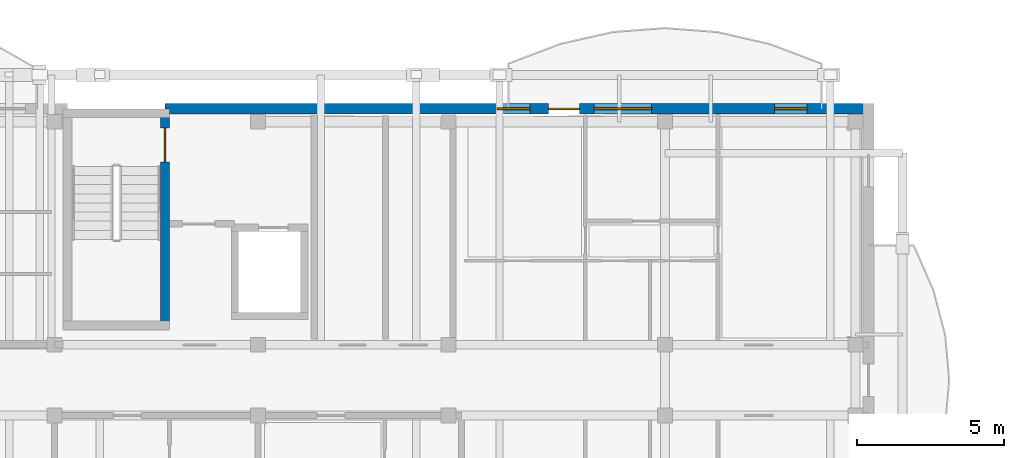
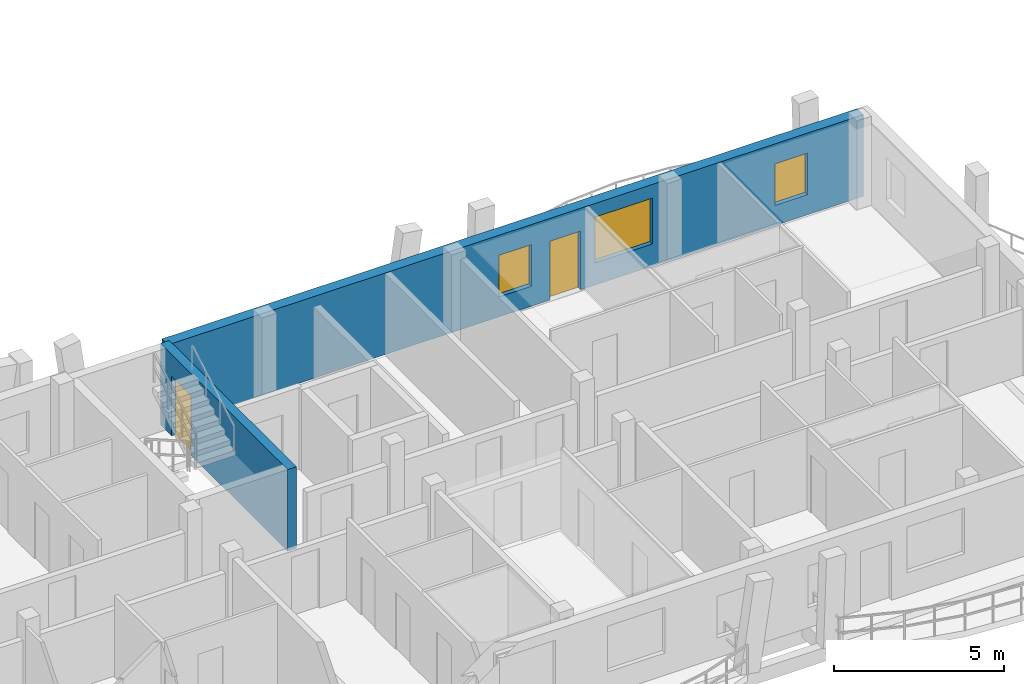
# One storey, part 21 of 52: 3 windows, 2 doors, 2 walls, 5 openings.
"""IFC4 building model written with IfcOpenShell, lengths in metres."""

import ifcopenshell
import ifcopenshell.guid

model = None  # the IFC model being written
_history = None  # IfcOwnerHistory: only IFC2X3 demands one
_inside = {}  # id of a spatial element -> (the spatial element, [elements in it])
_under = {}  # id of a project, library or spatial element -> (it, [spatial elements below it])
_declared = {}  # id of a project -> (the project, [libraries it declares])
_typed = {}  # id of a type object -> (the type object, [elements of that type])
_made_of = {}  # id of a material, layer set ... -> (it, [elements and type objects made of it])


def new_model(schema):
    """Start an empty IFC model of exactly this schema.

    Asked for "IFC4X3", IfcOpenShell would pick the latest addendum, in which some entities
    have other attributes; the version numbers below select the first issue.
    IFC2X3 requires an IfcOwnerHistory on every rooted entity: one is made here for all.
    """
    global model, _history
    if schema == "IFC4X3":
        model = ifcopenshell.file(schema_version=(4, 3, 0, 0))
    else:
        model = ifcopenshell.file(schema=schema)
    _inside.clear()
    _under.clear()
    _declared.clear()
    _typed.clear()
    _made_of.clear()
    _history = None
    if model.schema == "IFC2X3":
        org = make("IfcOrganization", Name="unknown")
        user = make(
            "IfcPersonAndOrganization",
            ThePerson=make("IfcPerson", FamilyName="unknown"),
            TheOrganization=org,
        )
        app = make(
            "IfcApplication",
            ApplicationDeveloper=org,
            Version="unknown",
            ApplicationFullName="unknown",
            ApplicationIdentifier="unknown",
        )
        _history = make(
            "IfcOwnerHistory",
            OwningUser=user,
            OwningApplication=app,
            ChangeAction="ADDED",
            CreationDate=0,
        )
    return model


def make(cls, **values):
    """One entity of the class cls with the attributes given. An attribute that is None is left unset."""
    return model.create_entity(
        cls, **{name: value for name, value in values.items() if value is not None}
    )


def rooted(cls, **values):
    """An entity with a GlobalId (a new one), such as an element, a storey or a relation."""
    return make(cls, GlobalId=ifcopenshell.guid.new(), OwnerHistory=_history, **values)


def si_unit(unit_type, name, prefix=None):
    """IfcSIUnit, for example si_unit("LENGTHUNIT", "METRE", prefix="MILLI")."""
    return make("IfcSIUnit", UnitType=unit_type, Prefix=prefix, Name=name)


def assignment(units):
    """IfcUnitAssignment: the units of a project."""
    return None if units is None else make("IfcUnitAssignment", Units=units)


def point(xyz):
    """IfcCartesianPoint."""
    return None if xyz is None else make("IfcCartesianPoint", Coordinates=xyz)


def direction(xyz):
    """IfcDirection."""
    return None if xyz is None else make("IfcDirection", DirectionRatios=xyz)


def frame(location, z_axis=None, x_axis=None):
    """IfcAxis2Placement3D, a coordinate frame: its origin and axes. An axis left out is left unset."""
    return make(
        "IfcAxis2Placement3D",
        Location=point(location),
        Axis=direction(z_axis),
        RefDirection=direction(x_axis),
    )


def frame_2d(location, x_axis=None):
    """IfcAxis2Placement2D, a coordinate frame in the plane: its origin and x axis."""
    return make(
        "IfcAxis2Placement2D", Location=point(location), RefDirection=direction(x_axis)
    )


def origin():
    """The frame at (0, 0, 0) with its axes left unset."""
    return frame((0.0, 0.0, 0.0))


def origin_with_axes():
    """The frame at (0, 0, 0) with the z axis (0, 0, 1) and the x axis (1, 0, 0) written out."""
    return frame((0.0, 0.0, 0.0), z_axis=(0.0, 0.0, 1.0), x_axis=(1.0, 0.0, 0.0))


def place(relative_to, where):
    """IfcLocalPlacement: puts the frame where relative to a parent placement (None: the world)."""
    return make(
        "IfcLocalPlacement", PlacementRelTo=relative_to, RelativePlacement=where
    )


def context(
    kind, dimensions, precision=None, world=None, true_north=None, identifier=None
):
    """IfcGeometricRepresentationContext, for example the 3D "Model" context."""
    return make(
        "IfcGeometricRepresentationContext",
        ContextIdentifier=identifier,
        ContextType=kind,
        CoordinateSpaceDimension=dimensions,
        Precision=precision,
        WorldCoordinateSystem=world,
        TrueNorth=true_north,
    )


def subcontext(parent, identifier, kind, view, scale=None):
    """IfcGeometricRepresentationSubContext, for example "Body" below "Model"."""
    return make(
        "IfcGeometricRepresentationSubContext",
        ContextIdentifier=identifier,
        ContextType=kind,
        ParentContext=parent,
        TargetScale=scale,
        TargetView=view,
    )


def project(units=None, contexts=None):
    """IfcProject with its units and contexts."""
    return rooted(
        "IfcProject",
        Name="project",
        RepresentationContexts=contexts,
        UnitsInContext=assignment(units),
    )


def spatial(cls, under=None, at=None, **own):
    """A site, building, storey or space (cls), placed at a placement, below another one or the project."""
    s = rooted(cls, ObjectPlacement=at, **own)
    if under is not None:
        _under.setdefault(under.id(), (under, []))[1].append(s)
    return s


def profile(cls, at=None, kind="AREA", **sizes):
    """A parametric profile (cls). Its sizes go by their IFC names, for example OverallWidth=200.0."""
    return make(cls, ProfileType=kind, Position=at, **sizes)


def rectangle(**sizes):
    """IfcRectangleProfileDef."""
    return profile("IfcRectangleProfileDef", **sizes)


def extrude(swept, where, along, depth):
    """IfcExtrudedAreaSolid: the profile swept, set in the frame where, extruded along a direction by depth."""
    return make(
        "IfcExtrudedAreaSolid",
        SweptArea=swept,
        Position=where,
        ExtrudedDirection=direction(along),
        Depth=depth,
    )


def shape(context_of_items, identifier, shape_type, items):
    """IfcShapeRepresentation: the items that make up one representation, for example the "Body"."""
    return make(
        "IfcShapeRepresentation",
        ContextOfItems=context_of_items,
        RepresentationIdentifier=identifier,
        RepresentationType=shape_type,
        Items=items,
    )


def material(Name=None, Category=None):
    """IfcMaterial."""
    return make("IfcMaterial", Name=Name, Category=Category)


def layer(
    of_material, thickness, ventilated=None, Name=None, Category=None, Priority=None
):
    """IfcMaterialLayer: one layer of a wall or slab, of a material (None: an air gap)."""
    return make(
        "IfcMaterialLayer",
        Material=of_material,
        LayerThickness=thickness,
        IsVentilated=ventilated,
        Name=Name,
        Category=Category,
        Priority=Priority,
    )


def layer_set(layers, Name=None):
    """IfcMaterialLayerSet."""
    return make("IfcMaterialLayerSet", MaterialLayers=layers, LayerSetName=Name)


def made_of(thing, what):
    """Note that an element or type object is made of a material, layer set ...; save() writes the relation."""
    if what is not None:
        _made_of.setdefault(what.id(), (what, []))[1].append(thing)
    return thing


def type_object(cls, material=None, **own):
    """A type object (cls), such as IfcWallType, which elements share."""
    return made_of(rooted(cls, **own), material)


def element(
    cls,
    number,
    at=None,
    inside=None,
    cuts=None,
    type_object=None,
    material=None,
    context=None,
    identifier="Body",
    shape_type=None,
    held_by="IfcProductDefinitionShape",
    body=None,
    shapes=None,
    **own,
):
    """One element of the class cls, such as IfcWall. Its Tag is "e" and its number.

    at: its placement. inside: the storey or other place that contains it. cuts: it is an
    opening in that element (IfcRelVoidsElement). A single representation is given by context,
    identifier, shape_type and body (its items); several are given by shapes. held_by: the class
    of the entity that holds the representations. save() writes the other relations.
    """
    e = rooted(cls, Tag="e%d" % number, ObjectPlacement=at, **own)
    if body is not None:
        shapes = [shape(context, identifier, shape_type, body)]
    if shapes is not None:
        e.Representation = make(held_by, Representations=shapes)
    if inside is not None:
        _inside.setdefault(inside.id(), (inside, []))[1].append(e)
    if cuts is not None:
        rooted(
            "IfcRelVoidsElement", RelatingBuildingElement=cuts, RelatedOpeningElement=e
        )
    if type_object is not None:
        _typed.setdefault(type_object.id(), (type_object, []))[1].append(e)
    return made_of(e, material)


def fill(opening, filler):
    """IfcRelFillsElement: the door or window that sits in an opening."""
    return rooted(
        "IfcRelFillsElement",
        RelatingOpeningElement=opening,
        RelatedBuildingElement=filler,
    )


def aggregate(whole, parts):
    """IfcRelAggregates: a whole, such as a stair, and the parts it consists of."""
    return rooted("IfcRelAggregates", RelatingObject=whole, RelatedObjects=parts)


def save(model, path):
    """Write the relations noted so far, then the file.

    IfcRelAggregates (storeys below a building ...), IfcRelContainedInSpatialStructure (elements
    in a storey), IfcRelDefinesByType, IfcRelAssociatesMaterial and IfcRelDeclares: one each for
    every whole, place, type object, material and project.
    """
    for whole, parts in _under.values():
        aggregate(whole, parts)
    for where, things in _inside.values():
        rooted(
            "IfcRelContainedInSpatialStructure",
            RelatedElements=things,
            RelatingStructure=where,
        )
    for kind, things in _typed.values():
        rooted("IfcRelDefinesByType", RelatedObjects=things, RelatingType=kind)
    for what, things in _made_of.values():
        rooted("IfcRelAssociatesMaterial", RelatedObjects=things, RelatingMaterial=what)
    for by, libraries in _declared.values():
        rooted("IfcRelDeclares", RelatingContext=by, RelatedDefinitions=libraries)
    model.write(path)


model = new_model("IFC4")

# Units and contexts
model_context = context("Model", 3, precision=1e-05, world=origin(), true_north=direction((0.0, 1.0)))
body_context = subcontext(model_context, "Body", "Model", "MODEL_VIEW")
ifc_project = project(units=[si_unit("LENGTHUNIT", "METRE"), si_unit("AREAUNIT", "SQUARE_METRE"), si_unit("VOLUMEUNIT", "CUBIC_METRE"), si_unit("PLANEANGLEUNIT", "RADIAN"), si_unit("MASSUNIT", "GRAM", prefix="KILO")], contexts=[model_context])

# Site, building, storey
site_placement = place(None, origin())
site = spatial("IfcSite", under=ifc_project, at=site_placement, CompositionType="ELEMENT")
building_placement = place(site_placement, origin())
building = spatial("IfcBuilding", under=site, at=building_placement, Name="Zavelmont Quarter", CompositionType="ELEMENT")
storey_placement = place(building_placement, frame((0.0, 0.0, 14.39990234375)))
storey = spatial("IfcBuildingStorey", under=building, at=storey_placement, Name="L04", CompositionType="ELEMENT", Elevation=14.39990234375)

# Wall, openings, door, windows
ifc_material_1 = material(Name="Natural Belgian limestone", Category="masonry")
ifc_layer_1 = layer(ifc_material_1, 0.360107421875)
ifc_layer_set_1 = layer_set([ifc_layer_1], Name="Natural Belgian limestone")
wall_type_1 = type_object("IfcWallType", Name="EW02", PredefinedType="STANDARD", material=ifc_layer_set_1)
wall_1_placement = place(storey_placement, frame((31.35009765625, 18.39990234375, 0.0), z_axis=(0.0, 0.0, 1.0), x_axis=(1.0, 0.0, 0.0)))
wall_1 = element("IfcWall", 1, at=wall_1_placement, inside=storey, type_object=wall_type_1, Name="L04 exterior limestone wall EW02", PredefinedType="STANDARD", context=body_context, shape_type="SweptSolid", body=[
    extrude(rectangle(XDim=23.679931640625, YDim=0.360107421875, at=frame_2d((11.83984375, 0.0))), origin(), (0.0, 0.0, 1.0), 2.940185546875),
])
opening_1_placement = place(wall_1_placement, frame((13.002685546875, 0.0, 0.0)))
opening_1 = element("IfcOpeningElement", 2, at=opening_1_placement, cuts=wall_1, Name="Opening DR04A", PredefinedType="OPENING", context=body_context, shape_type="SweptSolid", body=[
    extrude(rectangle(XDim=1.050048828125, YDim=2.1201171875, at=frame_2d((0.52490234375, 1.06005859375))), frame((0.0, 0.19189453125, 0.0), z_axis=(0.0, -1.0, 0.0), x_axis=(1.0, 0.0, 0.0)), (0.0, 0.0, 1.0), 0.384033203125),
])
opening_2_placement = place(wall_1_placement, frame((11.27001953125, 0.0, 0.719970703125)))
opening_2 = element("IfcOpeningElement", 3, at=opening_2_placement, cuts=wall_1, Name="Opening WN09", PredefinedType="OPENING", context=body_context, shape_type="SweptSolid", body=[
    extrude(rectangle(XDim=1.10009765625, YDim=1.5, at=frame_2d((0.550048828125, 0.75))), frame((0.0, 0.19189453125, 0.0), z_axis=(0.0, -1.0, 0.0), x_axis=(1.0, 0.0, 0.0)), (0.0, 0.0, 1.0), 0.384033203125),
])
opening_3_placement = place(wall_1_placement, frame((14.544921875, 0.0, 0.800048828125)))
opening_3 = element("IfcOpeningElement", 4, at=opening_3_placement, cuts=wall_1, Name="Opening WN24", PredefinedType="OPENING", context=body_context, shape_type="SweptSolid", body=[
    extrude(rectangle(XDim=1.949951171875, YDim=1.64990234375, at=frame_2d((0.97509765625, 0.824951171875))), frame((0.0, 0.19189453125, 0.0), z_axis=(0.0, -1.0, 0.0), x_axis=(1.0, 0.0, 0.0)), (0.0, 0.0, 1.0), 0.384033203125),
])
opening_4_placement = place(wall_1_placement, frame((20.669921875, 0.0, 0.719970703125)))
opening_4 = element("IfcOpeningElement", 5, at=opening_4_placement, cuts=wall_1, Name="Opening WN09", PredefinedType="OPENING", context=body_context, shape_type="SweptSolid", body=[
    extrude(rectangle(XDim=1.10009765625, YDim=1.5, at=frame_2d((0.550048828125, 0.75))), frame((0.0, 0.19189453125, 0.0), z_axis=(0.0, -1.0, 0.0), x_axis=(1.0, 0.0, 0.0)), (0.0, 0.0, 1.0), 0.384033203125),
])
ifc_material_2 = material(Name="Thermally broken aluminium and double safety glass", Category="aluminium")
door_type_1 = type_object("IfcDoorType", Name="DR04A", OperationType="NOTDEFINED", PredefinedType="DOOR", material=ifc_material_2)
door_1_placement = place(opening_1_placement, frame((1.050048828125, 0.0, 0.0), z_axis=(0.0, 0.0, 1.0), x_axis=(-1.0, 0.0, 0.0)))
door_1 = element("IfcDoor", 6, at=door_1_placement, inside=storey, type_object=door_type_1, Name="Block A L04 glazed balcony door", OperationType="SINGLE_SWING_LEFT", OverallHeight=2.1201171875, OverallWidth=1.050048828125, PredefinedType="DOOR", context=body_context, shape_type="SweptSolid", body=[
    extrude(rectangle(XDim=1.050048828125, YDim=2.1201171875, at=frame_2d((0.52490234375, 1.06005859375))), frame((0.0, 0.02490234375, 0.0), z_axis=(0.0, -1.0, 0.0), x_axis=(1.0, 0.0, 0.0)), (0.0, 0.0, 1.0), 0.050048828125),
])
fill(opening_1, door_1)
ifc_material_3 = material(Name="Double low-E insulated glazing in thermally broken aluminium frame", Category="aluminium")
window_type_1 = type_object("IfcWindowType", Name="WN09", PartitioningType="SINGLE_PANEL", PredefinedType="WINDOW", material=ifc_material_3)
window_1_placement = place(opening_2_placement, origin_with_axes())
window_1 = element("IfcWindow", 7, at=window_1_placement, inside=storey, type_object=window_type_1, Name="L04 window WN09", OverallHeight=1.5, OverallWidth=1.10009765625, PartitioningType="SINGLE_PANEL", PredefinedType="WINDOW", context=body_context, shape_type="SweptSolid", body=[
    extrude(rectangle(XDim=1.10009765625, YDim=1.5, at=frame_2d((0.550048828125, 0.75))), frame((0.0, 0.030029296875, 0.0), z_axis=(0.0, -1.0, 0.0), x_axis=(1.0, 0.0, 0.0)), (0.0, 0.0, 1.0), 0.06005859375),
])
fill(opening_2, window_1)
window_2_placement = place(opening_4_placement, origin_with_axes())
window_2 = element("IfcWindow", 8, at=window_2_placement, inside=storey, type_object=window_type_1, Name="L04 window WN09", OverallHeight=1.5, OverallWidth=1.10009765625, PartitioningType="SINGLE_PANEL", PredefinedType="WINDOW", context=body_context, shape_type="SweptSolid", body=[
    extrude(rectangle(XDim=1.10009765625, YDim=1.5, at=frame_2d((0.550048828125, 0.75))), frame((0.0, 0.030029296875, 0.0), z_axis=(0.0, -1.0, 0.0), x_axis=(1.0, 0.0, 0.0)), (0.0, 0.0, 1.0), 0.06005859375),
])
fill(opening_4, window_2)
window_type_2 = type_object("IfcWindowType", Name="WN24", PartitioningType="SINGLE_PANEL", PredefinedType="WINDOW", material=ifc_material_3)
window_3_placement = place(opening_3_placement, origin_with_axes())
window_3 = element("IfcWindow", 9, at=window_3_placement, inside=storey, type_object=window_type_2, Name="L04 window WN24", OverallHeight=1.64990234375, OverallWidth=1.949951171875, PartitioningType="SINGLE_PANEL", PredefinedType="WINDOW", context=body_context, shape_type="SweptSolid", body=[
    extrude(rectangle(XDim=1.949951171875, YDim=1.64990234375, at=frame_2d((0.97509765625, 0.824951171875))), frame((0.0, 0.030029296875, 0.0), z_axis=(0.0, -1.0, 0.0), x_axis=(1.0, 0.0, 0.0)), (0.0, 0.0, 1.0), 0.06005859375),
])
fill(opening_3, window_3)

# Wall, opening, door
ifc_material_4 = material(Name="Concrete C40/50", Category="concrete")
ifc_layer_2 = layer(ifc_material_4, 0.300048828125)
ifc_layer_set_2 = layer_set([ifc_layer_2], Name="Concrete C40/50")
wall_type_2 = type_object("IfcWallType", Name="SW01", PredefinedType="SHEAR", material=ifc_layer_set_2)
wall_2_placement = place(storey_placement, frame((31.35009765625, 10.89990234375, 0.0), z_axis=(0.0, 0.0, 1.0), x_axis=(0.0, 1.0, 0.0)))
wall_2 = element("IfcWall", 10, at=wall_2_placement, inside=storey, type_object=wall_type_2, Name="L04 ST02 lobby shear wall SW01", PredefinedType="SHEAR", context=body_context, shape_type="SweptSolid", body=[
    extrude(rectangle(XDim=7.5, YDim=0.300048828125, at=frame_2d((3.75, 0.0))), origin(), (0.0, 0.0, 1.0), 2.940185546875),
])
opening_5_placement = place(wall_2_placement, frame((5.699951171875, 0.0, 0.0)))
opening_5 = element("IfcOpeningElement", 11, at=opening_5_placement, cuts=wall_2, Name="Opening DR09", PredefinedType="OPENING", context=body_context, shape_type="SweptSolid", body=[
    extrude(rectangle(XDim=1.14990234375, YDim=2.14990234375, at=frame_2d((0.574951171875, 1.074951171875))), frame((0.0, 0.162109375, 0.0), z_axis=(0.0, -1.0, 0.0), x_axis=(1.0, 0.0, 0.0)), (0.0, 0.0, 1.0), 0.323974609375),
])
ifc_material_5 = material(Name="Painted steel stair-core fire door", Category="steel")
door_type_2 = type_object("IfcDoorType", Name="DR09", OperationType="NOTDEFINED", PredefinedType="DOOR", material=ifc_material_5)
door_2_placement = place(opening_5_placement, origin_with_axes())
door_2 = element("IfcDoor", 12, at=door_2_placement, inside=storey, type_object=door_type_2, Name="ST02 protected stair door", OperationType="SINGLE_SWING_LEFT", OverallHeight=2.14990234375, OverallWidth=1.14990234375, PredefinedType="DOOR", context=body_context, shape_type="SweptSolid", body=[
    extrude(rectangle(XDim=1.14990234375, YDim=2.14990234375, at=frame_2d((0.574951171875, 1.074951171875))), frame((0.0, 0.02490234375, 0.0), z_axis=(0.0, -1.0, 0.0), x_axis=(1.0, 0.0, 0.0)), (0.0, 0.0, 1.0), 0.050048828125),
])
fill(opening_5, door_2)

save(model, "model.ifc")
